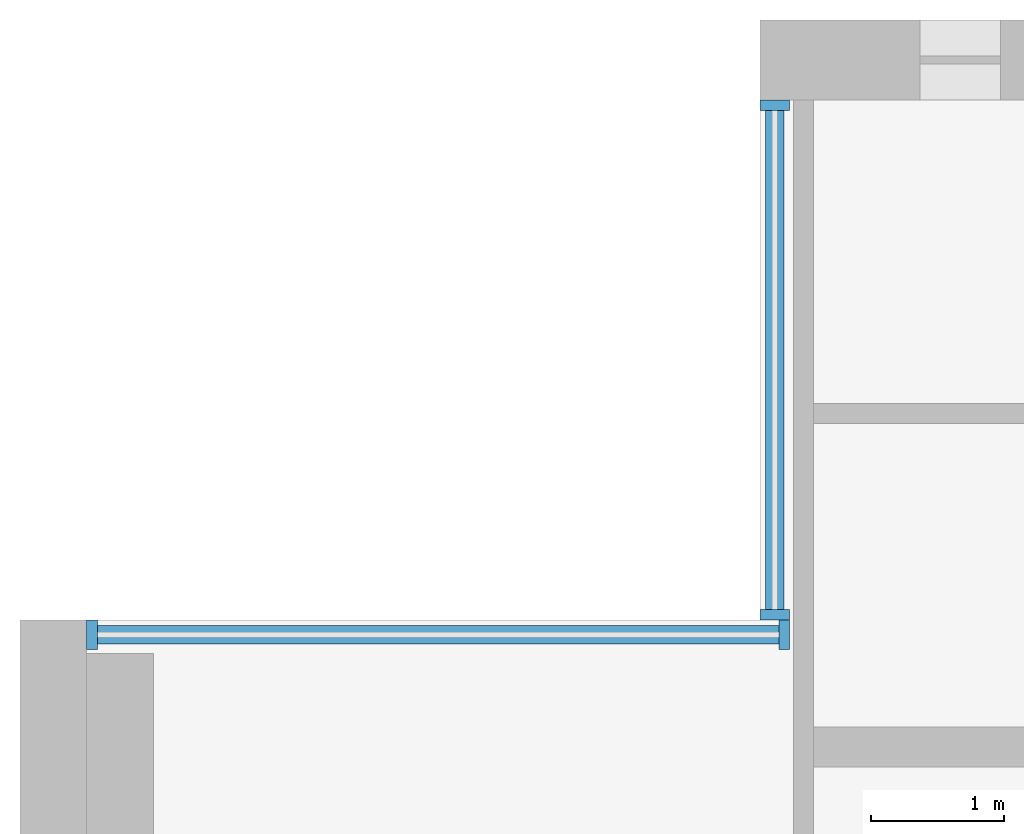
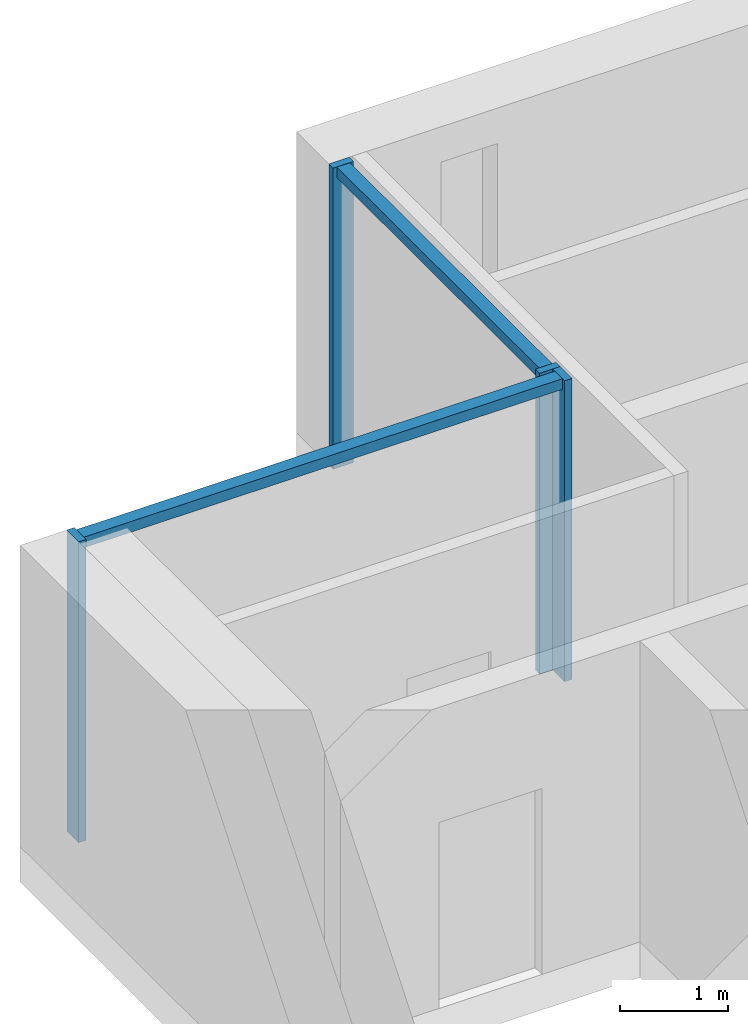
# One storey, part 4 of 14: 6 members, 2 elements without a shape of their own.
"""IFC4 building model written with IfcOpenShell, lengths in metres."""

from ifc_helpers import new_model, si_unit, direction, frame, origin, origin_2d, place, context, subcontext, project, spatial, rectangle, extrude, material, material_profile, profile_set, type_object, element, aggregate, save


model = new_model("IFC4")

# Units and contexts
model_context = context("Model", 3, precision=1e-05, world=origin(), true_north=direction((0.0, 1.0)))
body_context = subcontext(model_context, "Body", "Model", "MODEL_VIEW")
ifc_project = project(units=[si_unit("LENGTHUNIT", "METRE"), si_unit("AREAUNIT", "SQUARE_METRE"), si_unit("VOLUMEUNIT", "CUBIC_METRE"), si_unit("PLANEANGLEUNIT", "RADIAN"), si_unit("MASSUNIT", "GRAM", prefix="KILO")], contexts=[model_context])

# Site, building, storey
site_placement = place(None, origin())
site = spatial("IfcSite", under=ifc_project, at=site_placement, CompositionType="ELEMENT")
building_placement = place(site_placement, origin())
building = spatial("IfcBuilding", under=site, at=building_placement, Name="Calvaro Tower", CompositionType="ELEMENT")
storey_placement = place(building_placement, frame((0.0, 0.0, 239.35009765625)))
storey = spatial("IfcBuildingStorey", under=building, at=storey_placement, Name="L60", CompositionType="ELEMENT", Elevation=239.35009765625)

# Curtain wall, members
ifc_material_1 = material(Name="Anodised aluminium", Category="aluminium")
curtain_wall_type = type_object("IfcCurtainWallType", Name="Executive curtain wall", PredefinedType="NOTDEFINED", material=ifc_material_1)
curtain_wall_1_placement = place(storey_placement, origin())
curtain_wall_1 = element("IfcCurtainWall", 1, at=curtain_wall_1_placement, inside=storey, type_object=curtain_wall_type, Name="CW4 corner curtain wall", PredefinedType="NOTDEFINED")
ifc_material_2 = material(Name="Anodised aluminium", Category="aluminium")
ifc_material_profile_1 = material_profile(ifc_material_2, rectangle(XDim=0.219970703125, YDim=0.080078125, at=origin_2d()), Name="Mullion S4 80 x 220")
ifc_profile_set_1 = profile_set([ifc_material_profile_1], Name="Anodised aluminium")
member_type_1 = type_object("IfcMemberType", Name="Mullion S4 80 x 220", PredefinedType="MULLION", material=ifc_profile_set_1)
member_1_placement = place(storey_placement, frame((11.659912109375, 41.5400390625, 0.0), z_axis=(0.0, 0.0, 1.0), x_axis=(-1.0, 0.0, 0.0)))
member_1 = element("IfcMember", 2, at=member_1_placement, type_object=member_type_1, Name="CW4 mullion 1", PredefinedType="MULLION", context=body_context, shape_type="SweptSolid", body=[
    extrude(rectangle(XDim=0.219970703125, YDim=0.080078125, at=origin_2d()), origin(), (0.0, 0.0, 1.0), 3.39990234375),
])
member_2_placement = place(storey_placement, frame((11.659912109375, 45.360107421875, 0.0), z_axis=(0.0, 0.0, 1.0), x_axis=(-1.0, 0.0, 0.0)))
member_2 = element("IfcMember", 3, at=member_2_placement, type_object=member_type_1, Name="CW4 mullion 2", PredefinedType="MULLION", context=body_context, shape_type="SweptSolid", body=[
    extrude(rectangle(XDim=0.219970703125, YDim=0.080078125, at=origin_2d()), origin(), (0.0, 0.0, 1.0), 3.39990234375),
])

curtain_wall_2_placement = place(storey_placement, origin())
curtain_wall_2 = element("IfcCurtainWall", 4, at=curtain_wall_2_placement, inside=storey, type_object=curtain_wall_type, Name="CW4 corner curtain wall", PredefinedType="NOTDEFINED")
member_3_placement = place(storey_placement, frame((6.5400390625, 41.389892578125, 0.0), z_axis=(0.0, 0.0, 1.0), x_axis=(0.0, 1.0, 0.0)))
member_3 = element("IfcMember", 5, at=member_3_placement, type_object=member_type_1, Name="CW4 mullion 1", PredefinedType="MULLION", context=body_context, shape_type="SweptSolid", body=[
    extrude(rectangle(XDim=0.219970703125, YDim=0.080078125, at=origin_2d()), origin(), (0.0, 0.0, 1.0), 3.39990234375),
])
member_4_placement = place(storey_placement, frame((11.72998046875, 41.389892578125, 0.0), z_axis=(0.0, 0.0, 1.0), x_axis=(0.0, 1.0, 0.0)))
member_4 = element("IfcMember", 6, at=member_4_placement, type_object=member_type_1, Name="CW4 mullion 2", PredefinedType="MULLION", context=body_context, shape_type="SweptSolid", body=[
    extrude(rectangle(XDim=0.219970703125, YDim=0.080078125, at=origin_2d()), origin(), (0.0, 0.0, 1.0), 3.39990234375),
])

# Member
ifc_material_3 = material(Name="Anodised aluminium", Category="aluminium")
ifc_material_profile_2 = material_profile(ifc_material_3, rectangle(XDim=0.139892578125, YDim=0.1201171875, at=origin_2d()), Name="Transom S4 120 x 140")
ifc_profile_set_2 = profile_set([ifc_material_profile_2], Name="Anodised aluminium")
member_type_2 = type_object("IfcMemberType", Name="Transom S4 120 x 140", PredefinedType="USERDEFINED", material=ifc_profile_set_2)
member_5_placement = place(storey_placement, frame((11.659912109375, 41.580078125, 3.33984375), z_axis=(0.0, 1.0, 0.0), x_axis=(-1.0, 0.0, 0.0)))
member_5 = element("IfcMember", 7, at=member_5_placement, type_object=member_type_2, Name="CW4 transom 1.1", ObjectType="TRANSOM", PredefinedType="USERDEFINED", context=body_context, shape_type="SweptSolid", body=[
    extrude(rectangle(XDim=0.139892578125, YDim=0.1201171875, at=origin_2d()), origin(), (0.0, 0.0, 1.0), 3.739990234375),
])

aggregate(curtain_wall_1, [member_1, member_2, member_5])

member_6_placement = place(storey_placement, frame((6.580078125, 41.389892578125, 3.33984375), z_axis=(1.0, 0.0, 0.0), x_axis=(0.0, 1.0, 0.0)))
member_6 = element("IfcMember", 8, at=member_6_placement, type_object=member_type_2, Name="CW4 transom 1.1", ObjectType="TRANSOM", PredefinedType="USERDEFINED", context=body_context, shape_type="SweptSolid", body=[
    extrude(rectangle(XDim=0.139892578125, YDim=0.1201171875, at=origin_2d()), origin(), (0.0, 0.0, 1.0), 5.10986328125),
])

aggregate(curtain_wall_2, [member_3, member_4, member_6])

save(model, "model.ifc")
